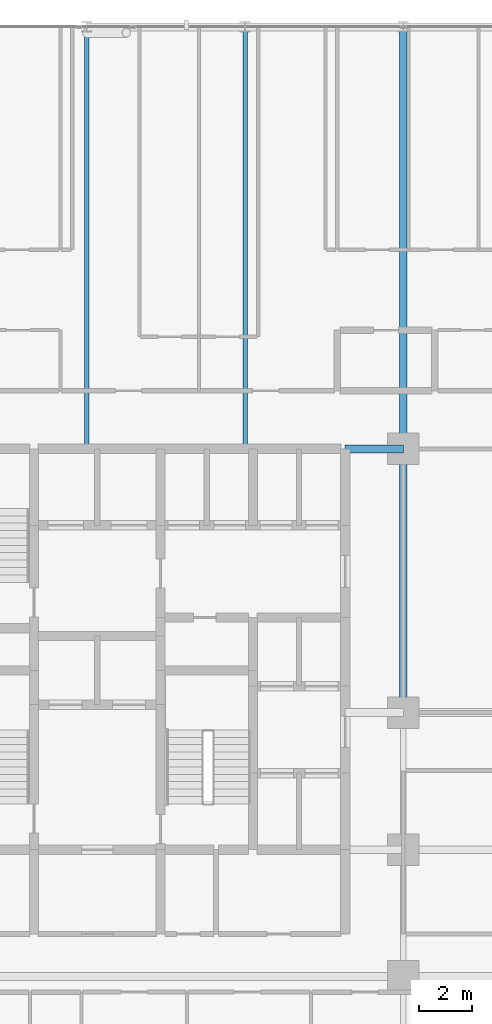
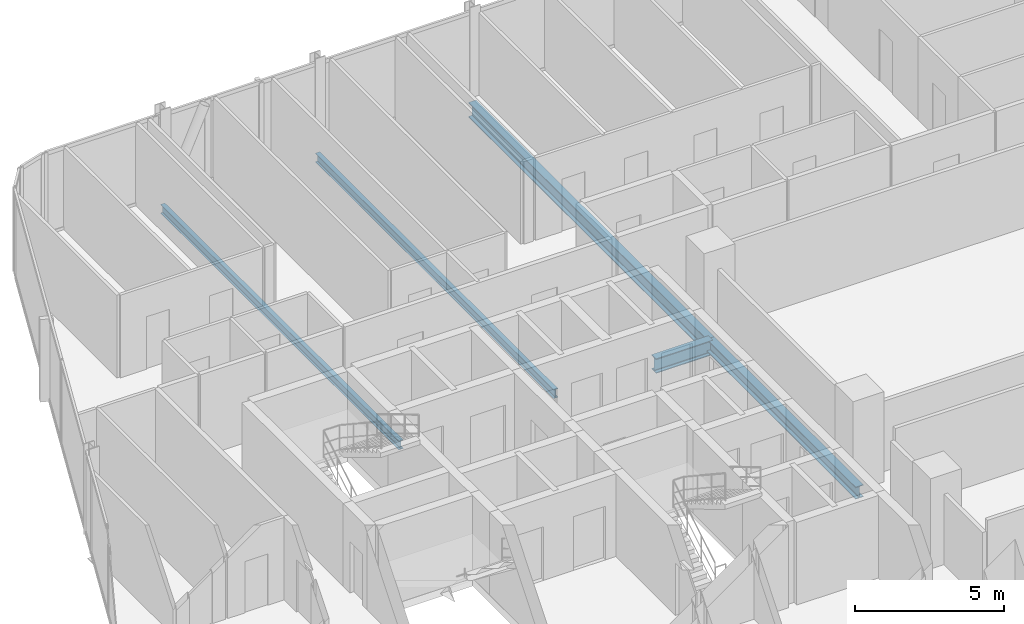
# One storey, part 13 of 34: 5 beams.
"""IFC4 building model written with IfcOpenShell, lengths in metres."""

from ifc_helpers import new_model, si_unit, direction, frame, origin, origin_2d, place, context, subcontext, project, spatial, i_section, extrude, material, material_profile, profile_set, type_object, element, save


model = new_model("IFC4")

# Units and contexts
model_context = context("Model", 3, precision=1e-05, world=origin(), true_north=direction((0.0, 1.0)))
body_context = subcontext(model_context, "Body", "Model", "MODEL_VIEW")
ifc_project = project(units=[si_unit("LENGTHUNIT", "METRE"), si_unit("AREAUNIT", "SQUARE_METRE"), si_unit("VOLUMEUNIT", "CUBIC_METRE"), si_unit("PLANEANGLEUNIT", "RADIAN"), si_unit("MASSUNIT", "GRAM", prefix="KILO")], contexts=[model_context])

# Site, building, storey
site_placement = place(None, origin())
site = spatial("IfcSite", under=ifc_project, at=site_placement, CompositionType="ELEMENT")
building_placement = place(site_placement, origin())
building = spatial("IfcBuilding", under=site, at=building_placement, Name="Keshet Zoharim Tower", CompositionType="ELEMENT")
storey_placement = place(building_placement, frame((0.0, 0.0, 70.10009765625)))
storey = spatial("IfcBuildingStorey", under=building, at=storey_placement, Name="L16", CompositionType="ELEMENT", Elevation=70.10009765625)

# Beams
ifc_material = material(Name="Steel S355", Category="steel")
ifc_material_profile_1 = material_profile(ifc_material, i_section(OverallWidth=0.300048828125, OverallDepth=0.60009765625, WebThickness=0.015380859375, FlangeThickness=0.030029296875, FilletRadius=0.027099609375, at=origin_2d()), Name="HEB600")
ifc_profile_set_1 = profile_set([ifc_material_profile_1], Name="Steel S355")
beam_type_1 = type_object("IfcBeamType", Name="BM-CLK-HB600", PredefinedType="BEAM", material=ifc_profile_set_1)
beam_1_placement = place(storey_placement, frame((30.800048828125, 37.89990234375, -0.614990234375), z_axis=(1.0, 0.0, 0.0), x_axis=(0.0, 1.0, 0.0)))
element("IfcBeam", 1, at=beam_1_placement, inside=storey, type_object=beam_type_1, Name="L16 Core Wall Link Girder 03", PredefinedType="BEAM", context=body_context, shape_type="SweptSolid", body=[
    extrude(i_section(OverallWidth=0.300048828125, OverallDepth=0.60009765625, WebThickness=0.015380859375, FlangeThickness=0.030029296875, FilletRadius=0.027099609375, at=origin_2d()), origin(), (0.0, 0.0, 1.0), 2.199951171875),
])
ifc_material_profile_2 = material_profile(ifc_material, i_section(OverallWidth=0.169921875, OverallDepth=0.360107421875, WebThickness=0.008056640625, FlangeThickness=0.0126953125, FilletRadius=0.01806640625, at=origin_2d()), Name="IPE360")
ifc_profile_set_2 = profile_set([ifc_material_profile_2], Name="Steel S355")
beam_type_2 = type_object("IfcBeamType", Name="BM-JST-IP360", PredefinedType="JOIST", material=ifc_profile_set_2)
for number, where, z_axis, x_axis, name in (
    (2, (21.0, 37.89990234375, -0.4951171875), (0.0, 1.0, 0.0), (-1.0, 0.0, 0.0), "L16 Secondary Floor Joist J-001"),
    (3, (27.0, 37.89990234375, -0.4951171875), (0.0, 1.0, 0.0), (-1.0, 0.0, 0.0), "L16 Secondary Floor Joist J-002"),
):
    element("IfcBeam", number, at=place(storey_placement, frame(where, z_axis=z_axis, x_axis=x_axis)), inside=storey, type_object=beam_type_2, Name=name, PredefinedType="JOIST", context=body_context, shape_type="SweptSolid", body=[
        extrude(i_section(OverallWidth=0.169921875, OverallDepth=0.360107421875, WebThickness=0.008056640625, FlangeThickness=0.0126953125, FilletRadius=0.01806640625, at=origin_2d()), origin(), (0.0, 0.0, 1.0), 16.0),
    ])
ifc_material_profile_3 = material_profile(ifc_material, i_section(OverallWidth=0.300048828125, OverallDepth=0.60009765625, WebThickness=0.015380859375, FlangeThickness=0.030029296875, FilletRadius=0.027099609375, at=origin_2d()), Name="HEB600")
ifc_profile_set_3 = profile_set([ifc_material_profile_3], Name="Steel S355")
beam_type_3 = type_object("IfcBeamType", Name="BM-LNG-HB600", PredefinedType="BEAM", material=ifc_profile_set_3)
beam_2_placement = place(storey_placement, frame((33.0, 37.89990234375, -0.614990234375), z_axis=(0.0, 1.0, 0.0), x_axis=(-1.0, 0.0, 0.0)))
element("IfcBeam", 4, at=beam_2_placement, inside=storey, type_object=beam_type_3, Name="L16 Primary Girder Y-011", PredefinedType="BEAM", context=body_context, shape_type="SweptSolid", body=[
    extrude(i_section(OverallWidth=0.300048828125, OverallDepth=0.60009765625, WebThickness=0.015380859375, FlangeThickness=0.030029296875, FilletRadius=0.027099609375, at=origin_2d()), origin(), (0.0, 0.0, 1.0), 16.0),
])
ifc_material_profile_4 = material_profile(ifc_material, i_section(OverallWidth=0.300048828125, OverallDepth=0.5, WebThickness=0.014404296875, FlangeThickness=0.028076171875, FilletRadius=0.027099609375, at=origin_2d()), Name="HEB500")
ifc_profile_set_4 = profile_set([ifc_material_profile_4], Name="Steel S355")
beam_type_4 = type_object("IfcBeamType", Name="BM-MED-HB500", PredefinedType="BEAM", material=ifc_profile_set_4)
beam_3_placement = place(storey_placement, frame((33.0, 27.89990234375, -0.565185546875), z_axis=(0.0, 1.0, 0.0), x_axis=(-1.0, 0.0, 0.0)))
element("IfcBeam", 5, at=beam_3_placement, inside=storey, type_object=beam_type_4, Name="L16 Primary Girder Y-010", PredefinedType="BEAM", context=body_context, shape_type="SweptSolid", body=[
    extrude(i_section(OverallWidth=0.300048828125, OverallDepth=0.5, WebThickness=0.014404296875, FlangeThickness=0.028076171875, FilletRadius=0.027099609375, at=origin_2d()), origin(), (0.0, 0.0, 1.0), 10.0),
])

save(model, "model.ifc")
